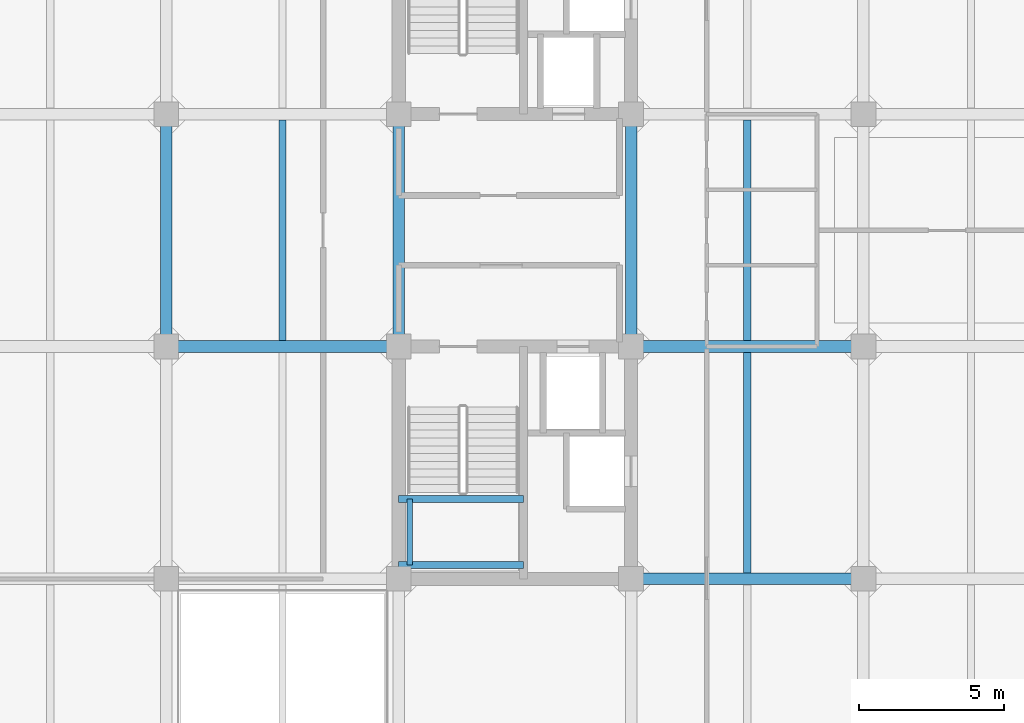
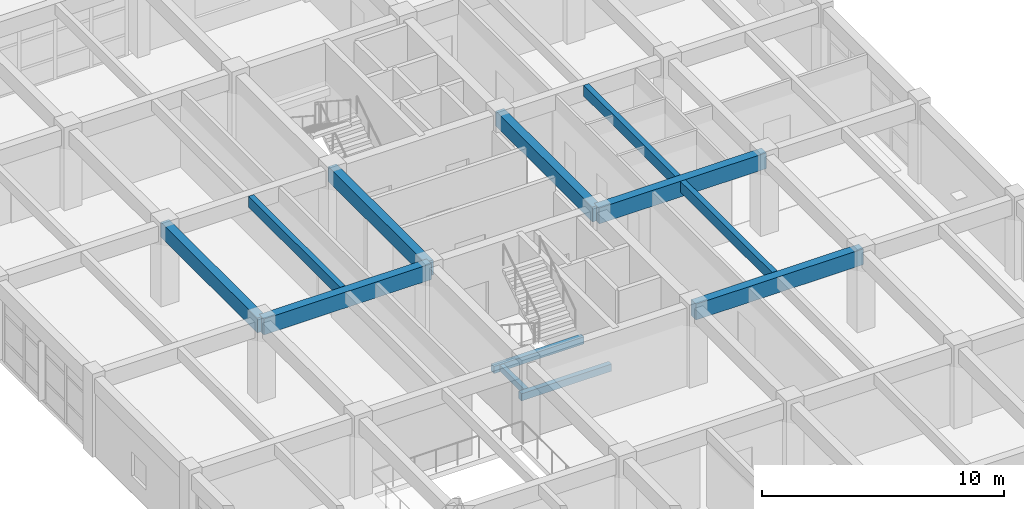
# One storey, part 9 of 30: 12 beams.
"""IFC4 building model written with IfcOpenShell, lengths in metres."""

from ifc_helpers import new_model, si_unit, direction, frame, origin, origin_2d, place, context, subcontext, project, spatial, rectangle, extrude, material, material_profile, profile_set, type_object, element, save


model = new_model("IFC4")

# Units and contexts
model_context = context("Model", 3, precision=1e-05, world=origin(), true_north=direction((0.0, 1.0)))
body_context = subcontext(model_context, "Body", "Model", "MODEL_VIEW")
ifc_project = project(units=[si_unit("LENGTHUNIT", "METRE"), si_unit("AREAUNIT", "SQUARE_METRE"), si_unit("VOLUMEUNIT", "CUBIC_METRE"), si_unit("PLANEANGLEUNIT", "RADIAN"), si_unit("MASSUNIT", "GRAM", prefix="KILO")], contexts=[model_context])

# Site, building, storey
site_placement = place(None, origin())
site = spatial("IfcSite", under=ifc_project, at=site_placement, CompositionType="ELEMENT")
building_placement = place(site_placement, origin())
building = spatial("IfcBuilding", under=site, at=building_placement, Name="Canggui Botanical Conservatory", CompositionType="ELEMENT")
storey_placement = place(building_placement, frame((0.0, 0.0, 19.199951171875)))
storey = spatial("IfcBuildingStorey", under=building, at=storey_placement, Name="L05", CompositionType="ELEMENT", Elevation=19.199951171875)

# Beams
ifc_material = material(Name="Concrete C35", Category="concrete")
ifc_material_profile_1 = material_profile(ifc_material, rectangle(XDim=0.25, YDim=0.550048828125, at=origin_2d()), Name="RB 250x550")
ifc_profile_set_1 = profile_set([ifc_material_profile_1], Name="Concrete C35")
beam_type_1 = type_object("IfcBeamType", Name="BM-JST03", PredefinedType="JOIST", material=ifc_profile_set_1)
for number, where, z_axis, x_axis, name in (
    (1, (150.0, 50.205078125, 3.68505859375), (0.0, 1.0, 0.0), (-1.0, 0.0, 0.0), "Secondary Floor Joist L05-2-4"),
    (2, (166.0, 42.205078125, 3.68505859375), (0.0, 1.0, 0.0), (-1.0, 0.0, 0.0), "Secondary Floor Joist L05-4-3"),
    (3, (166.0, 50.205078125, 3.68505859375), (0.0, 1.0, 0.0), (-1.0, 0.0, 0.0), "Secondary Floor Joist L05-4-4"),
):
    element("IfcBeam", number, at=place(storey_placement, frame(where, z_axis=z_axis, x_axis=x_axis)), inside=storey, type_object=beam_type_1, Name=name, PredefinedType="JOIST", context=body_context, shape_type="SweptSolid", body=[
        extrude(rectangle(XDim=0.25, YDim=0.550048828125, at=origin_2d()), origin(), (0.0, 0.0, 1.0), 7.58984375),
    ])
ifc_material_profile_2 = material_profile(ifc_material, rectangle(XDim=0.39990234375, YDim=0.800048828125, at=origin_2d()), Name="RB 400x800")
ifc_profile_set_2 = profile_set([ifc_material_profile_2], Name="Concrete C35")
beam_type_2 = type_object("IfcBeamType", Name="BM-KL09", PredefinedType="BEAM", material=ifc_profile_set_2)
for number, where, z_axis, x_axis, name in (
    (4, (162.0, 42.0, 3.56005859375), (1.0, 0.0, 0.0), (0.0, 1.0, 0.0), "Frame Girder L05 Y42-4"),
    (5, (146.0, 50.0, 3.56005859375), (1.0, 0.0, 0.0), (0.0, 1.0, 0.0), "Frame Girder L05 Y50-2"),
    (6, (162.0, 50.0, 3.56005859375), (1.0, 0.0, 0.0), (0.0, 1.0, 0.0), "Frame Girder L05 Y50-4"),
):
    element("IfcBeam", number, at=place(storey_placement, frame(where, z_axis=z_axis, x_axis=x_axis)), inside=storey, type_object=beam_type_2, Name=name, PredefinedType="BEAM", context=body_context, shape_type="SweptSolid", body=[
        extrude(rectangle(XDim=0.39990234375, YDim=0.800048828125, at=origin_2d()), origin(), (0.0, 0.0, 1.0), 8.0),
    ])
ifc_material_profile_3 = material_profile(ifc_material, rectangle(XDim=0.39990234375, YDim=0.75, at=origin_2d()), Name="RB 400x750")
ifc_profile_set_3 = profile_set([ifc_material_profile_3], Name="Concrete C35")
beam_type_3 = type_object("IfcBeamType", Name="BM-KL10", PredefinedType="BEAM", material=ifc_profile_set_3)
for number, where, z_axis, x_axis, name in (
    (7, (146.0, 50.0, 3.5849609375), (0.0, 1.0, 0.0), (-1.0, 0.0, 0.0), "Frame Girder L05 X146-4"),
    (8, (154.0, 50.0, 3.5849609375), (0.0, 1.0, 0.0), (-1.0, 0.0, 0.0), "Frame Girder L05 X154-4"),
    (9, (162.0, 50.0, 3.5849609375), (0.0, 1.0, 0.0), (-1.0, 0.0, 0.0), "Frame Girder L05 X162-4"),
):
    element("IfcBeam", number, at=place(storey_placement, frame(where, z_axis=z_axis, x_axis=x_axis)), inside=storey, type_object=beam_type_3, Name=name, PredefinedType="BEAM", context=body_context, shape_type="SweptSolid", body=[
        extrude(rectangle(XDim=0.39990234375, YDim=0.75, at=origin_2d()), origin(), (0.0, 0.0, 1.0), 8.0),
    ])
ifc_material_profile_4 = material_profile(ifc_material, rectangle(XDim=0.239990234375, YDim=0.360107421875, at=origin_2d()), Name="RB 240x360")
ifc_profile_set_4 = profile_set([ifc_material_profile_4], Name="Concrete C35")
beam_type_4 = type_object("IfcBeamType", Name="BM-LIN01", PredefinedType="LINTEL", material=ifc_profile_set_4)
for number, where, z_axis, x_axis, name in (
    (10, (154.0, 42.47998046875, 1.719970703125), (1.0, 0.0, 0.0), (0.0, 1.0, 0.0), "ST-T1 Half-Landing Ledger Beam L05-1.1"),
    (11, (154.0, 44.75244140625, 1.719970703125), (1.0, 0.0, 0.0), (0.0, 1.0, 0.0), "ST-T1 Half-Landing Ledger Beam L05-1.2"),
):
    element("IfcBeam", number, at=place(storey_placement, frame(where, z_axis=z_axis, x_axis=x_axis)), inside=storey, type_object=beam_type_4, Name=name, PredefinedType="LINTEL", context=body_context, shape_type="SweptSolid", body=[
        extrude(rectangle(XDim=0.239990234375, YDim=0.360107421875, at=origin_2d()), origin(), (0.0, 0.0, 1.0), 4.300048828125),
    ])
ifc_material_profile_5 = material_profile(ifc_material, rectangle(XDim=0.199951171875, YDim=0.320068359375, at=origin_2d()), Name="RB 200x320")
ifc_profile_set_5 = profile_set([ifc_material_profile_5], Name="Concrete C35")
beam_type_5 = type_object("IfcBeamType", Name="BM-LIN02", PredefinedType="LINTEL", material=ifc_profile_set_5)
beam_placement = place(storey_placement, frame((154.3798828125, 42.47998046875, 1.719970703125), z_axis=(0.0, 1.0, 0.0), x_axis=(-1.0, 0.0, 0.0)))
element("IfcBeam", 12, at=beam_placement, inside=storey, type_object=beam_type_5, Name="ST-T1 Half-Landing Edge Ledger L05-1.3", PredefinedType="LINTEL", context=body_context, shape_type="SweptSolid", body=[
    extrude(rectangle(XDim=0.199951171875, YDim=0.320068359375, at=origin_2d()), origin(), (0.0, 0.0, 1.0), 2.2724609375),
])

save(model, "model.ifc")
